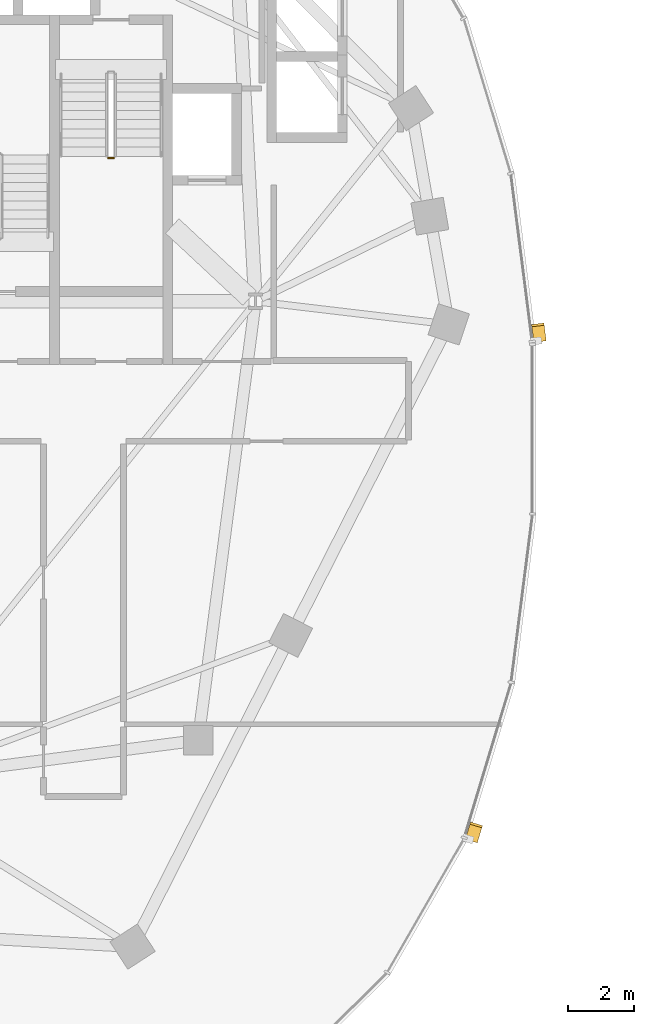
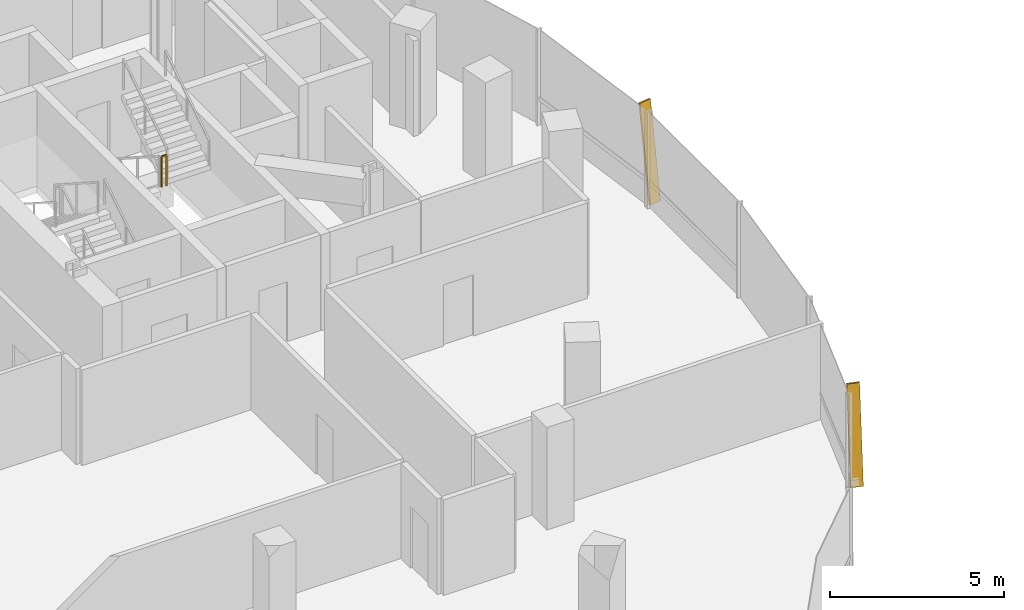
# One storey, part 19 of 22: 2 shading devices, 1 railing.
"""IFC4 building model written with IfcOpenShell, lengths in metres."""

from ifc_helpers import new_model, si_unit, direction, frame, origin, origin_2d, place, context, subcontext, project, spatial, rectangle, extrude, material, material_profile, profile_set, type_object, element, save


model = new_model("IFC4")

# Units and contexts
model_context = context("Model", 3, precision=1e-05, world=origin(), true_north=direction((0.0, 1.0)))
body_context = subcontext(model_context, "Body", "Model", "MODEL_VIEW")
ifc_project = project(units=[si_unit("LENGTHUNIT", "METRE"), si_unit("AREAUNIT", "SQUARE_METRE"), si_unit("VOLUMEUNIT", "CUBIC_METRE"), si_unit("PLANEANGLEUNIT", "RADIAN"), si_unit("MASSUNIT", "GRAM", prefix="KILO"), si_unit("THERMODYNAMICTEMPERATUREUNIT", "KELVIN"), si_unit("POWERUNIT", "WATT")], contexts=[model_context])

# Site, building, storey
site_placement = place(None, origin())
site = spatial("IfcSite", under=ifc_project, at=site_placement, CompositionType="ELEMENT")
building_placement = place(site_placement, origin())
building = spatial("IfcBuilding", under=site, at=building_placement, Name="Cundina Bronze Exchange", CompositionType="ELEMENT")
storey_placement = place(building_placement, frame((0.0, 0.0, 147.60009765625)))
storey = spatial("IfcBuildingStorey", under=building, at=storey_placement, Name="L38", CompositionType="ELEMENT", Elevation=147.60009765625)

# Railing
ifc_material_1 = material(Name="Steel ASTM A36 Painted", Category="steel")
railing_type = type_object("IfcRailingType", Name="RLG-STG-1100", PredefinedType="GUARDRAIL", material=ifc_material_1)
railing_placement = place(storey_placement, frame((-25.93994140625, 8.280029296875, 1.7998046875)))
element("IfcRailing", 1, at=railing_placement, inside=storey, type_object=railing_type, Name="L38 ST-W2 stair guard 2", PredefinedType="GUARDRAIL", context=body_context, shape_type="SweptSolid", body=[
    extrude(rectangle(XDim=0.048095703125, YDim=0.048095703125, at=origin_2d()), frame((0.0, 0.0, 1.076171875), z_axis=(1.0, 0.0, 0.0), x_axis=(0.0, 1.0, 0.0)), (0.0, 0.0, 1.0), 0.159912109375),
    extrude(rectangle(XDim=0.0419921875, YDim=0.0419921875, at=origin_2d()), origin(), (0.0, 0.0, 1.0), 1.052001953125),
    extrude(rectangle(XDim=0.0419921875, YDim=0.0419921875, at=origin_2d()), frame((0.159912109375, 0.0, 0.0)), (0.0, 0.0, 1.0), 1.052001953125),
])

# Shading devices
ifc_material_2 = material(Name="Anodised Bronze Aluminium 6063-T6", Category="aluminium")
ifc_material_profile = material_profile(ifc_material_2, rectangle(XDim=0.070068359375, YDim=0.3798828125, at=origin_2d()), Name="FIN70X380", Category="aluminium")
ifc_profile_set = profile_set([ifc_material_profile], Name="Anodised Bronze Aluminium 6063-T6")
shading_device_type = type_object("IfcShadingDeviceType", Name="SHD-FIN-BRZ380", PredefinedType="USERDEFINED", material=ifc_profile_set)
for number, where, z_axis, x_axis, name in (
    (2, (-12.76513671875, 2.705810546875, 0.02001953125), (-0.018123110499, 0.141927973785, 0.989711070527), (0.125360600332, -0.981739641151, 0.143080386066), "L38 Diagonal Bronze Solar Fin 1"),
    (3, (-14.848876953125, -12.5439453125, 0.02001953125), (0.041486383227, 0.136977847776, 0.989704980904), (-0.286882071994, -0.94721413946, 0.143122502684), "L38 Diagonal Bronze Solar Fin 5"),
):
    element("IfcShadingDevice", number, at=place(storey_placement, frame(where, z_axis=z_axis, x_axis=x_axis)), inside=storey, type_object=shading_device_type, Name=name, ObjectType="FIN", PredefinedType="USERDEFINED", context=body_context, shape_type="SweptSolid", body=[
        extrude(rectangle(XDim=0.070068359375, YDim=0.3798828125, at=origin_2d()), origin(), (0.0, 0.0, 1.0), 3.354248046875),
    ])

save(model, "model.ifc")
